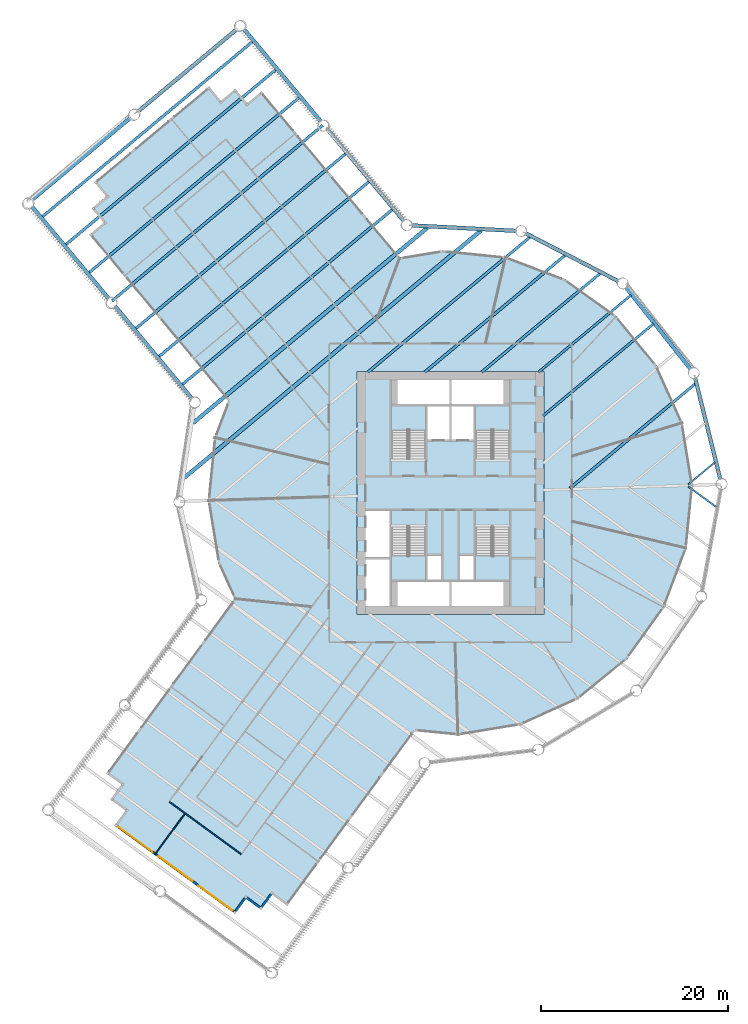
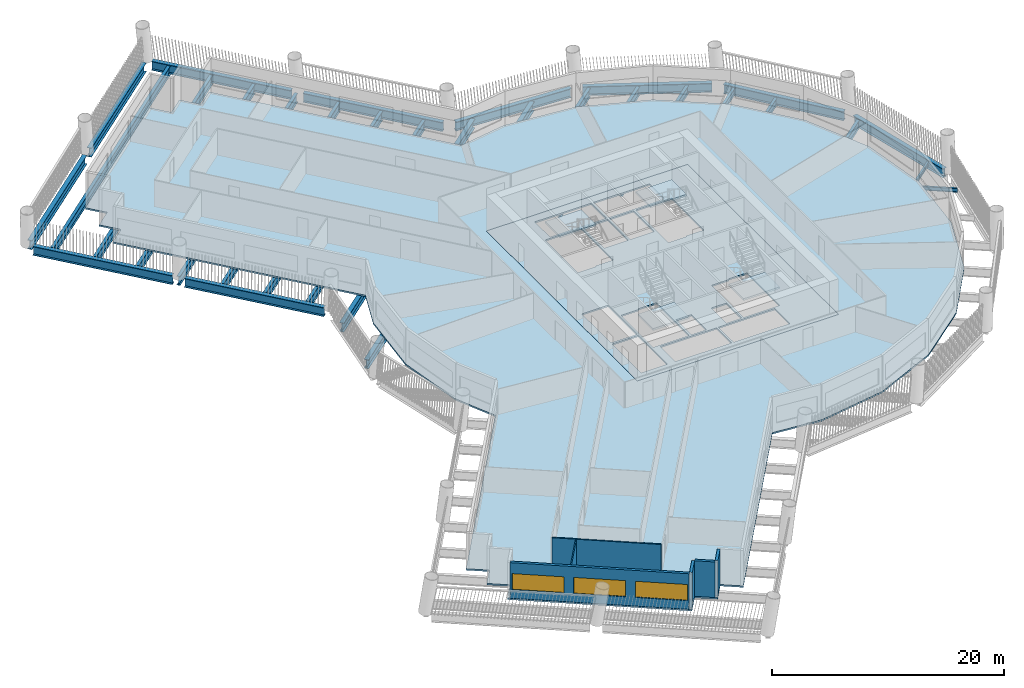
# One storey, part 2 of 15: 27 beams, 6 slabs, 6 walls, 3 windows, 3 openings, 4 elements without a shape of their own.
"""IFC4 building model written with IfcOpenShell, lengths in metres."""

from ifc_helpers import new_model, si_unit, direction, frame, frame_2d, origin, origin_2d, place, context, subcontext, project, spatial, polyline, rectangle, i_section, outline, extrude, material, layer, layer_set, material_profile, profile_set, type_object, element, fill, aggregate, save


model = new_model("IFC4")

# Units and contexts
model_context = context("Model", 3, precision=1e-05, world=origin(), true_north=direction((0.0, 1.0)))
body_context = subcontext(model_context, "Body", "Model", "MODEL_VIEW")
ifc_project = project(units=[si_unit("LENGTHUNIT", "METRE"), si_unit("AREAUNIT", "SQUARE_METRE"), si_unit("VOLUMEUNIT", "CUBIC_METRE"), si_unit("PLANEANGLEUNIT", "RADIAN"), si_unit("MASSUNIT", "GRAM", prefix="KILO")], contexts=[model_context])

# Site, building, storey
site_placement = place(None, origin())
site = spatial("IfcSite", under=ifc_project, at=site_placement, CompositionType="ELEMENT")
building_placement = place(site_placement, origin())
building = spatial("IfcBuilding", under=site, at=building_placement, Name="Tarsis Ring Headquarters", CompositionType="ELEMENT")
storey_placement = place(building_placement, frame((0.0, 0.0, 43.89990234375)))
storey = spatial("IfcBuildingStorey", under=building, at=storey_placement, Name="L08", CompositionType="ELEMENT", Elevation=43.89990234375)

# Beams
ifc_material_1 = material(Name="Structural steel S355", Category="steel")
ifc_material_profile_1 = material_profile(ifc_material_1, i_section(OverallWidth=0.177734375, OverallDepth=0.406494140625, WebThickness=0.0078125, FlangeThickness=0.0126953125, at=origin_2d()), Name="W16x40")
ifc_profile_set_1 = profile_set([ifc_material_profile_1], Name="Structural steel S355")
beam_type_1 = type_object("IfcBeamType", Name="FB Floor beam W16x40", PredefinedType="JOIST", material=ifc_profile_set_1)
beam_1_placement = place(storey_placement, frame((25.448486328125, 0.706298828125, -0.363037109375), z_axis=(0.806960549193, -0.590605343733, 0.0), x_axis=(0.590605343733, 0.806960549193, 0.0)))
element("IfcBeam", 1, at=beam_1_placement, inside=storey, type_object=beam_type_1, Name="Floor beam FB1", PredefinedType="JOIST", context=body_context, shape_type="SweptSolid", body=[
    extrude(i_section(OverallWidth=0.177734375, OverallDepth=0.406494140625, WebThickness=0.0078125, FlangeThickness=0.0126953125, at=origin_2d()), origin(), (0.0, 0.0, 1.0), 3.741943359375),
])
beam_2_placement = place(storey_placement, frame((28.3173828125, 3.2880859375, -0.363037109375), z_axis=(-0.768301497174, -0.640088126308, 0.0), x_axis=(0.640088126308, -0.768301497174, 0.0)))
element("IfcBeam", 2, at=beam_2_placement, inside=storey, type_object=beam_type_1, Name="Floor beam FB1", PredefinedType="JOIST", context=body_context, shape_type="SweptSolid", body=[
    extrude(i_section(OverallWidth=0.177734375, OverallDepth=0.406494140625, WebThickness=0.0078125, FlangeThickness=0.0126953125, at=origin_2d()), origin(), (0.0, 0.0, 1.0), 3.74169921875),
])
ifc_material_profile_2 = material_profile(ifc_material_1, i_section(OverallWidth=0.2529296875, OverallDepth=0.67822265625, WebThickness=0.01171875, FlangeThickness=0.016357421875, at=origin_2d()), Name="W27x84")
ifc_profile_set_2 = profile_set([ifc_material_profile_2], Name="Structural steel S355")
beam_type_2 = type_object("IfcBeamType", Name="FB Floor beam W27x84", PredefinedType="JOIST", material=ifc_profile_set_2)
beam_3_placement = place(storey_placement, frame((19.318359375, 21.171630859375, -0.4990234375), z_axis=(-0.768286601647, -0.640106005072, 0.0), x_axis=(0.640106005072, -0.768286601647, 0.0)))
element("IfcBeam", 3, at=beam_3_placement, inside=storey, type_object=beam_type_2, Name="Floor beam FB5", PredefinedType="JOIST", context=body_context, shape_type="SweptSolid", body=[
    extrude(i_section(OverallWidth=0.2529296875, OverallDepth=0.67822265625, WebThickness=0.01171875, FlangeThickness=0.016357421875, at=origin_2d()), origin(), (0.0, 0.0, 1.0), 12.865966796875),
])
ifc_material_profile_3 = material_profile(ifc_material_1, i_section(OverallWidth=0.2666015625, OverallDepth=0.7568359375, WebThickness=0.013916015625, FlangeThickness=0.019287109375, at=origin_2d()), Name="W30x108")
ifc_profile_set_3 = profile_set([ifc_material_profile_3], Name="Structural steel S355")
beam_type_3 = type_object("IfcBeamType", Name="FB Floor beam W30x108", PredefinedType="JOIST", material=ifc_profile_set_3)
beam_4_placement = place(storey_placement, frame((21.737060546875, 18.110595703125, -0.538330078125), z_axis=(-0.768283742477, -0.640109436773, 0.0), x_axis=(0.640109436773, -0.768283742477, 0.0)))
element("IfcBeam", 4, at=beam_4_placement, inside=storey, type_object=beam_type_3, Name="Floor beam FB6", PredefinedType="JOIST", context=body_context, shape_type="SweptSolid", body=[
    extrude(i_section(OverallWidth=0.2666015625, OverallDepth=0.7568359375, WebThickness=0.013916015625, FlangeThickness=0.019287109375, at=origin_2d()), origin(), (0.0, 0.0, 1.0), 15.377197265625),
])
ifc_material_profile_4 = material_profile(ifc_material_1, i_section(OverallWidth=0.2919921875, OverallDepth=0.835693359375, WebThickness=0.013916015625, FlangeThickness=0.018798828125, at=origin_2d()), Name="W33x118")
ifc_profile_set_4 = profile_set([ifc_material_profile_4], Name="Structural steel S355")
beam_type_4 = type_object("IfcBeamType", Name="FB Floor beam W33x118", PredefinedType="JOIST", material=ifc_profile_set_4)
beam_5_placement = place(storey_placement, frame((26.22509765625, 11.697509765625, -0.57763671875), z_axis=(-0.768284166529, -0.640108927809, 0.0), x_axis=(0.640108927809, -0.768284166529, 0.0)))
element("IfcBeam", 5, at=beam_5_placement, inside=storey, type_object=beam_type_4, Name="Floor beam FB7", PredefinedType="JOIST", context=body_context, shape_type="SweptSolid", body=[
    extrude(i_section(OverallWidth=0.2919921875, OverallDepth=0.835693359375, WebThickness=0.013916015625, FlangeThickness=0.018798828125, at=origin_2d()), origin(), (0.0, 0.0, 1.0), 17.500732421875),
])
beam_6_placement = place(storey_placement, frame((16.055908203125, 23.52978515625, -0.57763671875), z_axis=(-0.768285361175, -0.640107493944, 0.0), x_axis=(0.640107493944, -0.768285361175, 0.0)))
element("IfcBeam", 6, at=beam_6_placement, inside=storey, type_object=beam_type_4, Name="Floor beam FB7", PredefinedType="JOIST", context=body_context, shape_type="SweptSolid", body=[
    extrude(i_section(OverallWidth=0.2919921875, OverallDepth=0.835693359375, WebThickness=0.013916015625, FlangeThickness=0.018798828125, at=origin_2d()), origin(), (0.0, 0.0, 1.0), 16.550048828125),
])
ifc_material_profile_5 = material_profile(ifc_material_1, i_section(OverallWidth=0.3046875, OverallDepth=0.904296875, WebThickness=0.01513671875, FlangeThickness=0.02001953125, at=origin_2d()), Name="W36x135")
ifc_profile_set_5 = profile_set([ifc_material_profile_5], Name="Structural steel S355")
beam_type_5 = type_object("IfcBeamType", Name="FB Floor beam W36x135", PredefinedType="JOIST", material=ifc_profile_set_5)
beam_7_placement = place(storey_placement, frame((12.29638671875, 25.473876953125, -0.612060546875), z_axis=(-0.768282576554, -0.640110836155, 0.0), x_axis=(0.640110836155, -0.768282576554, 0.0)))
element("IfcBeam", 7, at=beam_7_placement, inside=storey, type_object=beam_type_5, Name="Floor beam FB8", PredefinedType="JOIST", context=body_context, shape_type="SweptSolid", body=[
    extrude(i_section(OverallWidth=0.3046875, OverallDepth=0.904296875, WebThickness=0.01513671875, FlangeThickness=0.02001953125, at=origin_2d()), origin(), (0.0, 0.0, 1.0), 19.5869140625),
])
ifc_material_profile_6 = material_profile(ifc_material_1, i_section(OverallWidth=0.3046875, OverallDepth=0.91943359375, WebThickness=0.017333984375, FlangeThickness=0.02783203125, at=origin_2d()), Name="W36x170")
ifc_profile_set_6 = profile_set([ifc_material_profile_6], Name="Structural steel S355")
beam_type_6 = type_object("IfcBeamType", Name="FB Floor beam W36x170", PredefinedType="JOIST", material=ifc_profile_set_6)
beam_8_placement = place(storey_placement, frame((8.537109375, 27.417724609375, -0.61962890625), z_axis=(-0.76828584652, -0.640106911412, 0.0), x_axis=(0.640106911412, -0.76828584652, 0.0)))
element("IfcBeam", 8, at=beam_8_placement, inside=storey, type_object=beam_type_6, Name="Floor beam FB9", PredefinedType="JOIST", context=body_context, shape_type="SweptSolid", body=[
    extrude(i_section(OverallWidth=0.3046875, OverallDepth=0.91943359375, WebThickness=0.017333984375, FlangeThickness=0.02783203125, at=origin_2d()), origin(), (0.0, 0.0, 1.0), 22.623779296875),
])
ifc_material_profile_7 = material_profile(ifc_material_1, i_section(OverallWidth=0.309814453125, OverallDepth=0.949951171875, WebThickness=0.0244140625, FlangeThickness=0.0439453125, at=origin_2d()), Name="W36x256")
ifc_profile_set_7 = profile_set([ifc_material_profile_7], Name="Structural steel S355")
beam_type_7 = type_object("IfcBeamType", Name="FB Floor beam W36x256", PredefinedType="JOIST", material=ifc_profile_set_7)
beam_9_placement = place(storey_placement, frame((-6.1904296875, 30.3759765625, -0.635009765625), z_axis=(-0.76828599182, -0.640106737016, 0.0), x_axis=(0.640106737016, -0.76828599182, 0.0)))
element("IfcBeam", 9, at=beam_9_placement, inside=storey, type_object=beam_type_7, Name="Floor beam FB11", PredefinedType="JOIST", context=body_context, shape_type="SweptSolid", body=[
    extrude(i_section(OverallWidth=0.309814453125, OverallDepth=0.949951171875, WebThickness=0.0244140625, FlangeThickness=0.0439453125, at=origin_2d()), origin(), (0.0, 0.0, 1.0), 29.3759765625),
])
beam_10_placement = place(storey_placement, frame((-8.68701171875, 33.372314453125, -0.635009765625), z_axis=(-0.768282586501, -0.640110824217, 0.0), x_axis=(0.640110824217, -0.768282586501, 0.0)))
element("IfcBeam", 10, at=beam_10_placement, inside=storey, type_object=beam_type_7, Name="Floor beam FB11", PredefinedType="JOIST", context=body_context, shape_type="SweptSolid", body=[
    extrude(i_section(OverallWidth=0.309814453125, OverallDepth=0.949951171875, WebThickness=0.0244140625, FlangeThickness=0.0439453125, at=origin_2d()), origin(), (0.0, 0.0, 1.0), 29.375732421875),
])
for number, where, z_axis, x_axis, name in (
    (11, (-11.183349609375, 36.36865234375, -0.635009765625), (-0.76828599182, -0.640106737016, 0.0), (0.640106737016, -0.76828599182, 0.0), "Floor beam FB11"),
    (12, (-13.6796875, 39.364990234375, -0.635009765625), (-0.76828599182, -0.640106737016, 0.0), (0.640106737016, -0.76828599182, 0.0), "Floor beam FB11"),
):
    element("IfcBeam", number, at=place(storey_placement, frame(where, z_axis=z_axis, x_axis=x_axis)), inside=storey, type_object=beam_type_7, Name=name, PredefinedType="JOIST", context=body_context, shape_type="SweptSolid", body=[
        extrude(i_section(OverallWidth=0.309814453125, OverallDepth=0.949951171875, WebThickness=0.0244140625, FlangeThickness=0.0439453125, at=origin_2d()), origin(), (0.0, 0.0, 1.0), 29.3759765625),
    ])
beam_11_placement = place(storey_placement, frame((-16.17626953125, 42.361328125, -0.635009765625), z_axis=(-0.768282586501, -0.640110824217, 0.0), x_axis=(0.640110824217, -0.768282586501, 0.0)))
element("IfcBeam", 13, at=beam_11_placement, inside=storey, type_object=beam_type_7, Name="Floor beam FB11", PredefinedType="JOIST", context=body_context, shape_type="SweptSolid", body=[
    extrude(i_section(OverallWidth=0.309814453125, OverallDepth=0.949951171875, WebThickness=0.0244140625, FlangeThickness=0.0439453125, at=origin_2d()), origin(), (0.0, 0.0, 1.0), 29.375732421875),
])
beam_12_placement = place(storey_placement, frame((-18.672607421875, 45.357421875, -0.635009765625), z_axis=(-0.76828599182, -0.640106737016, 0.0), x_axis=(0.640106737016, -0.76828599182, 0.0)))
element("IfcBeam", 14, at=beam_12_placement, inside=storey, type_object=beam_type_7, Name="Floor beam FB11", PredefinedType="JOIST", context=body_context, shape_type="SweptSolid", body=[
    extrude(i_section(OverallWidth=0.309814453125, OverallDepth=0.949951171875, WebThickness=0.0244140625, FlangeThickness=0.0439453125, at=origin_2d()), origin(), (0.0, 0.0, 1.0), 29.3759765625),
])
beam_13_placement = place(storey_placement, frame((-21.169189453125, 48.353759765625, -0.635009765625), z_axis=(-0.768282586501, -0.640110824217, 0.0), x_axis=(0.640110824217, -0.768282586501, 0.0)))
element("IfcBeam", 15, at=beam_13_placement, inside=storey, type_object=beam_type_7, Name="Floor beam FB11", PredefinedType="JOIST", context=body_context, shape_type="SweptSolid", body=[
    extrude(i_section(OverallWidth=0.309814453125, OverallDepth=0.949951171875, WebThickness=0.0244140625, FlangeThickness=0.0439453125, at=origin_2d()), origin(), (0.0, 0.0, 1.0), 29.375732421875),
])
ifc_material_profile_8 = material_profile(ifc_material_1, i_section(OverallWidth=0.42431640625, OverallDepth=0.947509765625, WebThickness=0.02392578125, FlangeThickness=0.042724609375, at=origin_2d()), Name="W36x302")
ifc_profile_set_8 = profile_set([ifc_material_profile_8], Name="Structural steel S355")
beam_type_8 = type_object("IfcBeamType", Name="FB Floor beam W36x302", PredefinedType="JOIST", material=ifc_profile_set_8)
beam_14_placement = place(storey_placement, frame((3.28466796875, 28.117919921875, -0.633544921875), z_axis=(-0.76828273393, -0.640110647268, 0.0), x_axis=(0.640110647268, -0.76828273393, 0.0)))
element("IfcBeam", 16, at=beam_14_placement, inside=storey, type_object=beam_type_8, Name="Floor beam FB12", PredefinedType="JOIST", context=body_context, shape_type="SweptSolid", body=[
    extrude(i_section(OverallWidth=0.42431640625, OverallDepth=0.947509765625, WebThickness=0.02392578125, FlangeThickness=0.042724609375, at=origin_2d()), origin(), (0.0, 0.0, 1.0), 41.35302734375),
])
beam_15_placement = place(storey_placement, frame((-2.447265625, 28.41845703125, -0.633544921875), z_axis=(-0.768283688308, -0.640109501788, 0.0), x_axis=(0.640109501788, -0.768283688308, 0.0)))
element("IfcBeam", 17, at=beam_15_placement, inside=storey, type_object=beam_type_8, Name="Floor beam FB12", PredefinedType="JOIST", context=body_context, shape_type="SweptSolid", body=[
    extrude(i_section(OverallWidth=0.42431640625, OverallDepth=0.947509765625, WebThickness=0.02392578125, FlangeThickness=0.042724609375, at=origin_2d()), origin(), (0.0, 0.0, 1.0), 32.70458984375),
])
beam_type_9 = type_object("IfcBeamType", Name="XG Ring girder W36x302", PredefinedType="BEAM", material=ifc_profile_set_8)
for number, where, z_axis, x_axis, name in (
    (18, (28.901611328125, 1.44482421875, -0.4736328125), (-0.241433104757, 0.970417464768, 0.0), (-0.970417464768, -0.241433104757, 0.0), "Ring girder XG1"),
    (19, (25.73681640625, 13.2294921875, -0.4736328125), (-0.619968634519, 0.784626594128, 0.0), (-0.784626594128, -0.619968634519, 0.0), "Ring girder XG1"),
    (20, (17.99560546875, 22.66162109375, -0.4736328125), (-0.888262615971, 0.459335961001, 0.0), (-0.459335961001, -0.888262615971, 0.0), "Ring girder XG1"),
    (21, (7.054931640625, 28.064697265625, -0.4736328125), (-0.998628995137, 0.052346251751, 0.0), (-0.052346251751, -0.998628995137, 0.0), "Ring girder XG1"),
):
    element("IfcBeam", number, at=place(storey_placement, frame(where, z_axis=z_axis, x_axis=x_axis)), inside=storey, type_object=beam_type_9, Name=name, PredefinedType="BEAM", context=body_context, shape_type="SweptSolid", body=[
        extrude(i_section(OverallWidth=0.42431640625, OverallDepth=0.947509765625, WebThickness=0.02392578125, FlangeThickness=0.042724609375, at=origin_2d()), origin(), (0.0, 0.0, 1.0), 11.151611328125),
    ])
beam_16_placement = place(storey_placement, frame((-4.98046875, 29.098876953125, -0.4736328125), z_axis=(-0.640115007994, 0.76827910068, 0.0), x_axis=(-0.76827910068, -0.640115007994, 0.0)))
element("IfcBeam", 22, at=beam_16_placement, inside=storey, type_object=beam_type_9, Name="Ring girder XG1", PredefinedType="BEAM", context=body_context, shape_type="SweptSolid", body=[
    extrude(i_section(OverallWidth=0.42431640625, OverallDepth=0.947509765625, WebThickness=0.02392578125, FlangeThickness=0.042724609375, at=origin_2d()), origin(), (0.0, 0.0, 1.0), 12.8046875),
])
beam_17_placement = place(storey_placement, frame((-13.87939453125, 39.779541015625, -0.4736328125), z_axis=(-0.640105631494, 0.768286912897, 0.0), x_axis=(-0.768286912897, -0.640105631494, 0.0)))
element("IfcBeam", 23, at=beam_17_placement, inside=storey, type_object=beam_type_9, Name="Ring girder XG1", PredefinedType="BEAM", context=body_context, shape_type="SweptSolid", body=[
    extrude(i_section(OverallWidth=0.42431640625, OverallDepth=0.947509765625, WebThickness=0.02392578125, FlangeThickness=0.042724609375, at=origin_2d()), origin(), (0.0, 0.0, 1.0), 12.804931640625),
])
for number, where, z_axis, x_axis, name in (
    (24, (-22.8486328125, 49.687744140625, -0.4736328125), (-0.768284073297, -0.64010903971, 0.0), (0.64010903971, -0.768284073297, 0.0), "Ring girder XG1"),
    (25, (-34.21923828125, 40.214111328125, -0.4736328125), (-0.768284073297, -0.64010903971, 0.0), (0.64010903971, -0.768284073297, 0.0), "Ring girder XG1"),
):
    element("IfcBeam", number, at=place(storey_placement, frame(where, z_axis=z_axis, x_axis=x_axis)), inside=storey, type_object=beam_type_9, Name=name, PredefinedType="BEAM", context=body_context, shape_type="SweptSolid", body=[
        extrude(i_section(OverallWidth=0.42431640625, OverallDepth=0.947509765625, WebThickness=0.02392578125, FlangeThickness=0.042724609375, at=origin_2d()), origin(), (0.0, 0.0, 1.0), 13.70263671875),
    ])
beam_18_placement = place(storey_placement, frame((-44.817138671875, 30.670166015625, -0.4736328125), z_axis=(0.640105631494, -0.768286912897, 0.0), x_axis=(0.768286912897, 0.640105631494, 0.0)))
element("IfcBeam", 26, at=beam_18_placement, inside=storey, type_object=beam_type_9, Name="Ring girder XG1", PredefinedType="BEAM", context=body_context, shape_type="SweptSolid", body=[
    extrude(i_section(OverallWidth=0.42431640625, OverallDepth=0.947509765625, WebThickness=0.02392578125, FlangeThickness=0.042724609375, at=origin_2d()), origin(), (0.0, 0.0, 1.0), 12.804931640625),
])
beam_19_placement = place(storey_placement, frame((-35.918212890625, 19.9892578125, -0.4736328125), z_axis=(0.640115007994, -0.76827910068, 0.0), x_axis=(0.76827910068, 0.640115007994, 0.0)))
element("IfcBeam", 27, at=beam_19_placement, inside=storey, type_object=beam_type_9, Name="Ring girder XG1", PredefinedType="BEAM", context=body_context, shape_type="SweptSolid", body=[
    extrude(i_section(OverallWidth=0.42431640625, OverallDepth=0.947509765625, WebThickness=0.02392578125, FlangeThickness=0.042724609375, at=origin_2d()), origin(), (0.0, 0.0, 1.0), 12.8046875),
])

# Slab
ifc_material_2 = material(Name="Concrete C40/50", Category="concrete")
ifc_layer_1 = layer(ifc_material_2, 0.159912109375)
ifc_layer_set_1 = layer_set([ifc_layer_1], Name="Core floor slab 160 C40/50")
slab_type_1 = type_object("IfcSlabType", Name="Core floor slab 160 C40/50", PredefinedType="FLOOR", material=ifc_layer_set_1)
slab_1_placement = place(storey_placement, frame((0.0, 0.0, -0.159912109375)))
element("IfcSlab", 28, at=slab_1_placement, inside=storey, type_object=slab_type_1, Name="L08 core floor slab", PredefinedType="FLOOR", context=body_context, shape_type="SweptSolid", body=[
    extrude(outline(polyline([(-10.0, -13.0), (10.0, -13.0), (10.0, 13.0), (-10.0, 13.0), (-10.0, -13.0)]), holes=[polyline([(-2.5, 5.699951171875), (-0.10009765625, 5.699951171875), (-0.10009765625, 9.300048828125), (-2.5, 9.300048828125), (-2.5, 5.699951171875)]), polyline([(0.10009765625, 5.699951171875), (2.5, 5.699951171875), (2.5, 9.300048828125), (0.10009765625, 9.300048828125), (0.10009765625, 5.699951171875)]), polyline([(-9.10009765625, -12.10009765625), (-6.5, -12.10009765625), (-6.5, -7.10009765625), (-9.10009765625, -7.10009765625), (-9.10009765625, -12.10009765625)]), polyline([(-9.10009765625, -6.89990234375), (-6.5, -6.89990234375), (-6.5, -1.89990234375), (-9.10009765625, -1.89990234375), (-9.10009765625, -6.89990234375)]), polyline([(-5.699951171875, 9.5), (-0.10009765625, 9.5), (-0.10009765625, 12.10009765625), (-5.699951171875, 12.10009765625), (-5.699951171875, 9.5)]), polyline([(0.10009765625, 9.5), (5.699951171875, 9.5), (5.699951171875, 12.10009765625), (0.10009765625, 12.10009765625), (0.10009765625, 9.5)]), polyline([(-5.699951171875, -12.10009765625), (-0.10009765625, -12.10009765625), (-0.10009765625, -9.5), (-5.699951171875, -9.5), (-5.699951171875, -12.10009765625)]), polyline([(0.10009765625, -12.10009765625), (5.699951171875, -12.10009765625), (5.699951171875, -9.5), (0.10009765625, -9.5), (0.10009765625, -12.10009765625)]), polyline([(-2.5, -9.300048828125), (-1.0, -9.300048828125), (-1.0, -6.699951171875), (-2.5, -6.699951171875), (-2.5, -9.300048828125)]), polyline([(1.0, -9.300048828125), (2.5, -9.300048828125), (2.5, -6.699951171875), (1.0, -6.699951171875), (1.0, -9.300048828125)]), polyline([(-2.699951171875, 3.760009765625), (-2.699951171875, 9.300048828125), (-6.300048828125, 9.300048828125), (-6.300048828125, 3.659912109375), (-4.4599609375, 3.659912109375), (-4.4599609375, 3.760009765625), (-2.699951171875, 3.760009765625)]), polyline([(6.300048828125, 3.760009765625), (6.300048828125, 9.300048828125), (2.699951171875, 9.300048828125), (2.699951171875, 3.659912109375), (4.5400390625, 3.659912109375), (4.5400390625, 3.760009765625), (6.300048828125, 3.760009765625)]), polyline([(-6.300048828125, -3.760009765625), (-6.300048828125, -9.300048828125), (-2.699951171875, -9.300048828125), (-2.699951171875, -3.659912109375), (-4.5400390625, -3.659912109375), (-4.5400390625, -3.760009765625), (-6.300048828125, -3.760009765625)]), polyline([(2.699951171875, -3.760009765625), (2.699951171875, -9.300048828125), (6.300048828125, -9.300048828125), (6.300048828125, -3.659912109375), (4.4599609375, -3.659912109375), (4.4599609375, -3.760009765625), (2.699951171875, -3.760009765625)])]), origin(), (0.0, 0.0, 1.0), 0.159912109375),
])

# Stair, slab
ifc_material_3 = material(Name="Core stair 1760")
stair_type = type_object("IfcStairType", Name="Core stair 1760", PredefinedType="HALF_TURN_STAIR", material=ifc_material_3)
stair_1_placement = place(storey_placement, origin())
stair_1 = element("IfcStair", 29, at=stair_1_placement, inside=storey, type_object=stair_type, Name="L08 Firefighting stair", PredefinedType="HALF_TURN_STAIR")
ifc_layer_2 = layer(ifc_material_2, 0.199951171875)
ifc_layer_set_2 = layer_set([ifc_layer_2], Name="Core stair landing 200")
slab_type_2 = type_object("IfcSlabType", Name="Core stair landing 200", PredefinedType="LANDING", material=ifc_layer_set_2)
slab_2_placement = place(storey_placement, frame((0.0, 0.0, 1.75)))
slab_2 = element("IfcSlab", 30, at=slab_2_placement, type_object=slab_type_2, Name="Stair ST1 landing 1", PredefinedType="LANDING", context=body_context, shape_type="SweptSolid", body=[
    extrude(outline(polyline([(-2.699951171875, 6.739990234375), (-2.699951171875, 9.300048828125), (-6.300048828125, 9.300048828125), (-6.300048828125, 6.739990234375), (-2.699951171875, 6.739990234375)])), origin(), (0.0, 0.0, 1.0), 0.2001953125),
])
aggregate(stair_1, [slab_2])

stair_2_placement = place(storey_placement, origin())
stair_2 = element("IfcStair", 31, at=stair_2_placement, inside=storey, type_object=stair_type, Name="L08 Exit stair B", PredefinedType="HALF_TURN_STAIR")
slab_3_placement = place(storey_placement, frame((0.0, 0.0, 1.75)))
slab_3 = element("IfcSlab", 32, at=slab_3_placement, type_object=slab_type_2, Name="Stair ST2 landing 1", PredefinedType="LANDING", context=body_context, shape_type="SweptSolid", body=[
    extrude(outline(polyline([(6.300048828125, 6.739990234375), (6.300048828125, 9.300048828125), (2.699951171875, 9.300048828125), (2.699951171875, 6.739990234375), (6.300048828125, 6.739990234375)])), origin(), (0.0, 0.0, 1.0), 0.2001953125),
])
aggregate(stair_2, [slab_3])

stair_3_placement = place(storey_placement, origin())
stair_3 = element("IfcStair", 33, at=stair_3_placement, inside=storey, type_object=stair_type, Name="L08 Exit stair C", PredefinedType="HALF_TURN_STAIR")
slab_4_placement = place(storey_placement, frame((0.0, 0.0, 1.75)))
slab_4 = element("IfcSlab", 34, at=slab_4_placement, type_object=slab_type_2, Name="Stair ST3 landing 1", PredefinedType="LANDING", context=body_context, shape_type="SweptSolid", body=[
    extrude(outline(polyline([(-6.300048828125, -6.739990234375), (-6.300048828125, -9.300048828125), (-2.699951171875, -9.300048828125), (-2.699951171875, -6.739990234375), (-6.300048828125, -6.739990234375)])), origin(), (0.0, 0.0, 1.0), 0.2001953125),
])
aggregate(stair_3, [slab_4])

stair_4_placement = place(storey_placement, origin())
stair_4 = element("IfcStair", 35, at=stair_4_placement, inside=storey, type_object=stair_type, Name="L08 Exit stair D", PredefinedType="HALF_TURN_STAIR")
slab_5_placement = place(storey_placement, frame((0.0, 0.0, 1.75)))
slab_5 = element("IfcSlab", 36, at=slab_5_placement, type_object=slab_type_2, Name="Stair ST4 landing 1", PredefinedType="LANDING", context=body_context, shape_type="SweptSolid", body=[
    extrude(outline(polyline([(2.699951171875, -6.739990234375), (2.699951171875, -9.300048828125), (6.300048828125, -9.300048828125), (6.300048828125, -6.739990234375), (2.699951171875, -6.739990234375)])), origin(), (0.0, 0.0, 1.0), 0.2001953125),
])
aggregate(stair_4, [slab_5])

# Slab
ifc_material_4 = material(Name="Concrete C35/45", Category="concrete")
ifc_layer_3 = layer(ifc_material_4, 0.159912109375)
ifc_layer_set_3 = layer_set([ifc_layer_3], Name="FS Composite floor slab 160")
slab_type_3 = type_object("IfcSlabType", Name="FS Composite floor slab 160", PredefinedType="FLOOR", material=ifc_layer_set_3)
slab_6_placement = place(storey_placement, frame((0.0, 0.0, -0.159912109375)))
element("IfcSlab", 37, at=slab_6_placement, inside=storey, type_object=slab_type_3, Name="Floor slab L08", PredefinedType="FLOOR", context=body_context, shape_type="SweptSolid", body=[
    extrude(outline(polyline([(-23.831787109375, 9.857177734375), (-25.31298828125, 5.93701171875), (-25.987060546875, -0.816650390625), (-24.890380859375, -7.514892578125), (-23.165771484375, -11.333984375), (-36.851318359375, -30.032958984375), (-35.237548828125, -31.214111328125), (-36.418701171875, -32.828125), (-34.8046875, -34.00927734375), (-35.986083984375, -35.623291015625), (-23.07470703125, -45.07275390625), (-21.893310546875, -43.458984375), (-20.279541015625, -44.64013671875), (-19.09814453125, -43.026123046875), (-17.484375, -44.20751953125), (-3.81103515625, -25.525146484375), (0.816650390625, -25.987060546875), (7.514892578125, -24.890380859375), (13.700927734375, -22.09716796875), (18.953125, -17.79833984375), (22.913818359375, -12.286376953125), (25.31298828125, -5.93701171875), (25.987060546875, 0.816650390625), (24.890380859375, 7.514892578125), (22.09716796875, 13.700927734375), (17.79833984375, 18.953125), (12.286376953125, 22.913818359375), (5.93701171875, 25.31298828125), (-0.816650390625, 25.987060546875), (-5.40625, 25.235595703125), (-20.2255859375, 43.0224609375), (-21.76220703125, 41.7421875), (-23.04248046875, 43.27880859375), (-24.5791015625, 41.99853515625), (-25.859130859375, 43.53515625), (-38.15185546875, 33.293212890625), (-36.87158203125, 31.7568359375), (-38.408203125, 30.4765625), (-37.1279296875, 28.93994140625), (-38.66455078125, 27.65966796875), (-23.831787109375, 9.857177734375)]), holes=[polyline([(-10.0, -13.0), (-10.0, 13.0), (10.0, 13.0), (10.0, -13.0), (-10.0, -13.0)])]), origin(), (0.0, 0.0, 1.0), 0.159912109375),
])

# Walls
ifc_material_5 = material(Name="Gypsum board on steel studs", Category="steel")
ifc_layer_4 = layer(ifc_material_5, 0.10009765625)
ifc_layer_set_4 = layer_set([ifc_layer_4], Name="FL partition 100 unrated")
wall_type_1 = type_object("IfcWallType", Name="FL partition 100 unrated", PredefinedType="PARTITIONING", material=ifc_layer_set_4)
wall_1_placement = place(storey_placement, frame((-31.6552734375, -38.730712890625, 0.0), z_axis=(0.0, 0.0, 1.0), x_axis=(0.590582262641, 0.806977441478, 0.0)))
element("IfcWall", 38, at=wall_1_placement, inside=storey, type_object=wall_type_1, Name="Partition PW3", PredefinedType="PARTITIONING", context=body_context, shape_type="SweptSolid", body=[
    extrude(rectangle(XDim=5.419921875, YDim=0.10009765625, at=frame_2d((2.7099609375, 0.0))), origin(), (0.0, 0.0, 1.0), 2.7001953125),
])
ifc_layer_5 = layer(ifc_material_5, 0.125)
ifc_layer_set_5 = layer_set([ifc_layer_5], Name="FL partition 125 EI 60 H2770")
wall_type_2 = type_object("IfcWallType", Name="FL partition 125 EI 60 H2770", PredefinedType="PARTITIONING", material=ifc_layer_set_5)
wall_2_placement = place(storey_placement, frame((-30.0751953125, -33.083984375, 0.0), z_axis=(0.0, 0.0, 1.0), x_axis=(0.80696912572, -0.590593625207, 0.0)))
element("IfcWall", 39, at=wall_2_placement, inside=storey, type_object=wall_type_2, Name="Partition PW1", PredefinedType="PARTITIONING", context=body_context, shape_type="SweptSolid", body=[
    extrude(rectangle(XDim=9.459716796875, YDim=0.125, at=frame_2d((4.72998046875, 0.0))), origin(), (0.0, 0.0, 1.0), 2.77001953125),
])

# Wall, openings, windows
ifc_material_6 = material(Name="Terracotta clad insulated panel wall", Category="masonry")
ifc_layer_6 = layer(ifc_material_6, 0.25)
ifc_layer_set_6 = layer_set([ifc_layer_6], Name="Facade wall terracotta panel 250")
wall_type_3 = type_object("IfcWallType", Name="Facade wall terracotta panel 250", PredefinedType="STANDARD", material=ifc_layer_set_6)
wall_3_placement = place(storey_placement, frame((-35.71044921875, -35.669921875, 0.0), z_axis=(0.0, 0.0, 1.0), x_axis=(0.806961481486, -0.590604069913, 0.0)))
wall_3 = element("IfcWall", 40, at=wall_3_placement, inside=storey, type_object=wall_type_3, Name="External wall L08-11", PredefinedType="STANDARD", context=body_context, shape_type="SweptSolid", body=[
    extrude(rectangle(XDim=15.5, YDim=0.25, at=frame_2d((7.75, 0.0))), origin(), (0.0, 0.0, 1.0), 3.739990234375),
])
opening_1_placement = place(wall_3_placement, frame((0.166748046875, 0.0, 0.89990234375)))
opening_1 = element("IfcOpeningElement", 41, at=opening_1_placement, cuts=wall_3, Name="Opening WN04", PredefinedType="OPENING", context=body_context, shape_type="SweptSolid", body=[
    extrude(rectangle(XDim=4.5, YDim=1.699951171875, at=frame_2d((2.25, 0.85009765625))), frame((0.0, 0.135009765625, 0.0), z_axis=(0.0, -1.0, 0.0), x_axis=(1.0, 0.0, 0.0)), (0.0, 0.0, 1.0), 0.27001953125),
])
opening_2_placement = place(wall_3_placement, frame((5.5, 0.0, 0.89990234375)))
opening_2 = element("IfcOpeningElement", 42, at=opening_2_placement, cuts=wall_3, Name="Opening WN04", PredefinedType="OPENING", context=body_context, shape_type="SweptSolid", body=[
    extrude(rectangle(XDim=4.5, YDim=1.699951171875, at=frame_2d((2.25, 0.85009765625))), frame((0.0, 0.135009765625, 0.0), z_axis=(0.0, -1.0, 0.0), x_axis=(1.0, 0.0, 0.0)), (0.0, 0.0, 1.0), 0.27001953125),
])
opening_3_placement = place(wall_3_placement, frame((10.833251953125, 0.0, 0.89990234375)))
opening_3 = element("IfcOpeningElement", 43, at=opening_3_placement, cuts=wall_3, Name="Opening WN04", PredefinedType="OPENING", context=body_context, shape_type="SweptSolid", body=[
    extrude(rectangle(XDim=4.5, YDim=1.699951171875, at=frame_2d((2.25, 0.85009765625))), frame((0.0, 0.135009765625, 0.0), z_axis=(0.0, -1.0, 0.0), x_axis=(1.0, 0.0, 0.0)), (0.0, 0.0, 1.0), 0.27001953125),
])
ifc_material_7 = material(Name="Aluminium framed double glazing", Category="aluminium")
window_type = type_object("IfcWindowType", Name="Facade window 4500 x 1700", PartitioningType="SINGLE_PANEL", PredefinedType="WINDOW", material=ifc_material_7)
window_1_placement = place(opening_1_placement, origin())
window_1 = element("IfcWindow", 44, at=window_1_placement, inside=storey, type_object=window_type, Name="Window L08-11.1", OverallHeight=1.699951171875, OverallWidth=4.5, PartitioningType="SINGLE_PANEL", PredefinedType="WINDOW", context=body_context, shape_type="SweptSolid", body=[
    extrude(rectangle(XDim=4.5, YDim=1.699951171875, at=frame_2d((2.25, 0.85009765625))), frame((0.0, 0.030029296875, 0.0), z_axis=(0.0, -1.0, 0.0), x_axis=(1.0, 0.0, 0.0)), (0.0, 0.0, 1.0), 0.06005859375),
])
fill(opening_1, window_1)
window_2_placement = place(opening_2_placement, origin())
window_2 = element("IfcWindow", 45, at=window_2_placement, inside=storey, type_object=window_type, Name="Window L08-11.2", OverallHeight=1.699951171875, OverallWidth=4.5, PartitioningType="SINGLE_PANEL", PredefinedType="WINDOW", context=body_context, shape_type="SweptSolid", body=[
    extrude(rectangle(XDim=4.5, YDim=1.699951171875, at=frame_2d((2.25, 0.85009765625))), frame((0.0, 0.030029296875, 0.0), z_axis=(0.0, -1.0, 0.0), x_axis=(1.0, 0.0, 0.0)), (0.0, 0.0, 1.0), 0.06005859375),
])
fill(opening_2, window_2)
window_3_placement = place(opening_3_placement, origin())
window_3 = element("IfcWindow", 46, at=window_3_placement, inside=storey, type_object=window_type, Name="Window L08-11.3", OverallHeight=1.699951171875, OverallWidth=4.5, PartitioningType="SINGLE_PANEL", PredefinedType="WINDOW", context=body_context, shape_type="SweptSolid", body=[
    extrude(rectangle(XDim=4.5, YDim=1.699951171875, at=frame_2d((2.25, 0.85009765625))), frame((0.0, 0.030029296875, 0.0), z_axis=(0.0, -1.0, 0.0), x_axis=(1.0, 0.0, 0.0)), (0.0, 0.0, 1.0), 0.06005859375),
])
fill(opening_3, window_3)

# Walls
wall_4_placement = place(storey_placement, frame((-23.02783203125, -44.79736328125, 0.0), z_axis=(0.0, 0.0, 1.0), x_axis=(0.590607488281, 0.806958979618, 0.0)))
element("IfcWall", 47, at=wall_4_placement, inside=storey, type_object=wall_type_3, Name="External wall L08-12", PredefinedType="STANDARD", context=body_context, shape_type="SweptSolid", body=[
    extrude(rectangle(XDim=1.750244140625, YDim=0.25, at=frame_2d((0.875, 0.0))), origin(), (0.0, 0.0, 1.0), 3.739990234375),
])
for number, where, z_axis, x_axis, name in (
    (48, (-21.819580078125, -43.358154296875, 0.0), (0.0, 0.0, 1.0), (0.806976806799, -0.590583129872, 0.0), "External wall L08-13"),
    (49, (-20.232666015625, -44.364501953125, 0.0), (0.0, 0.0, 1.0), (0.590583129872, 0.806976806799, 0.0), "External wall L08-14"),
):
    element("IfcWall", number, at=place(storey_placement, frame(where, z_axis=z_axis, x_axis=x_axis)), inside=storey, type_object=wall_type_3, Name=name, PredefinedType="STANDARD", context=body_context, shape_type="SweptSolid", body=[
        extrude(rectangle(XDim=1.749755859375, YDim=0.25, at=frame_2d((0.875, 0.0))), origin(), (0.0, 0.0, 1.0), 3.739990234375),
    ])

save(model, "model.ifc")
